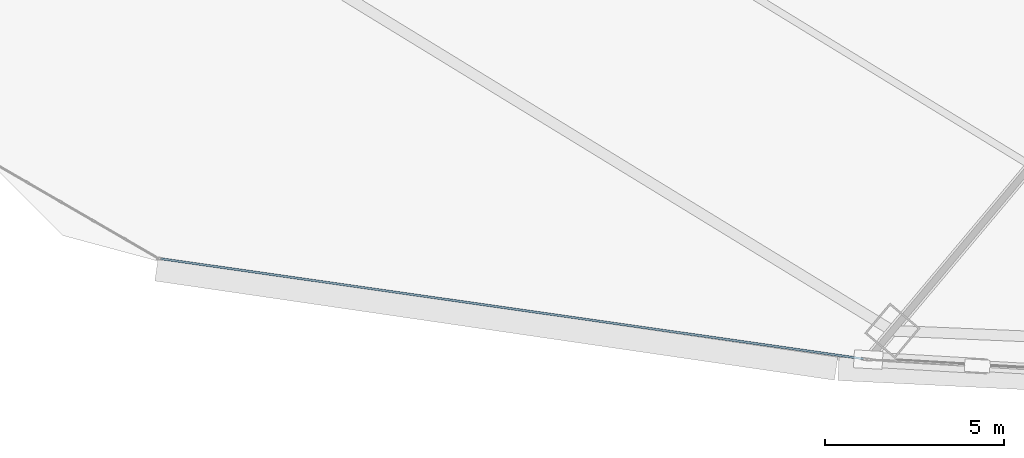
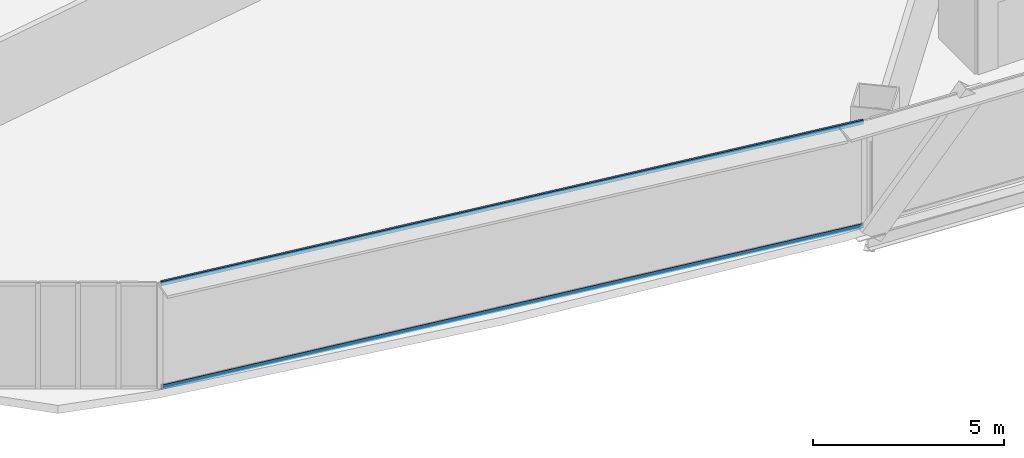
# One storey, part 3 of 41: 2 members, 1 element without a shape of its own.
"""IFC4 building model written with IfcOpenShell, lengths in metres."""

import ifcopenshell
import ifcopenshell.guid

model = None  # the IFC model being written
_history = None  # IfcOwnerHistory: only IFC2X3 demands one
_inside = {}  # id of a spatial element -> (the spatial element, [elements in it])
_under = {}  # id of a project, library or spatial element -> (it, [spatial elements below it])
_declared = {}  # id of a project -> (the project, [libraries it declares])
_typed = {}  # id of a type object -> (the type object, [elements of that type])
_made_of = {}  # id of a material, layer set ... -> (it, [elements and type objects made of it])


def new_model(schema):
    """Start an empty IFC model of exactly this schema.

    Asked for "IFC4X3", IfcOpenShell would pick the latest addendum, in which some entities
    have other attributes; the version numbers below select the first issue.
    IFC2X3 requires an IfcOwnerHistory on every rooted entity: one is made here for all.
    """
    global model, _history
    if schema == "IFC4X3":
        model = ifcopenshell.file(schema_version=(4, 3, 0, 0))
    else:
        model = ifcopenshell.file(schema=schema)
    _inside.clear()
    _under.clear()
    _declared.clear()
    _typed.clear()
    _made_of.clear()
    _history = None
    if model.schema == "IFC2X3":
        org = make("IfcOrganization", Name="unknown")
        user = make(
            "IfcPersonAndOrganization",
            ThePerson=make("IfcPerson", FamilyName="unknown"),
            TheOrganization=org,
        )
        app = make(
            "IfcApplication",
            ApplicationDeveloper=org,
            Version="unknown",
            ApplicationFullName="unknown",
            ApplicationIdentifier="unknown",
        )
        _history = make(
            "IfcOwnerHistory",
            OwningUser=user,
            OwningApplication=app,
            ChangeAction="ADDED",
            CreationDate=0,
        )
    return model


def make(cls, **values):
    """One entity of the class cls with the attributes given. An attribute that is None is left unset."""
    return model.create_entity(
        cls, **{name: value for name, value in values.items() if value is not None}
    )


def rooted(cls, **values):
    """An entity with a GlobalId (a new one), such as an element, a storey or a relation."""
    return make(cls, GlobalId=ifcopenshell.guid.new(), OwnerHistory=_history, **values)


def si_unit(unit_type, name, prefix=None):
    """IfcSIUnit, for example si_unit("LENGTHUNIT", "METRE", prefix="MILLI")."""
    return make("IfcSIUnit", UnitType=unit_type, Prefix=prefix, Name=name)


def assignment(units):
    """IfcUnitAssignment: the units of a project."""
    return None if units is None else make("IfcUnitAssignment", Units=units)


def point(xyz):
    """IfcCartesianPoint."""
    return None if xyz is None else make("IfcCartesianPoint", Coordinates=xyz)


def direction(xyz):
    """IfcDirection."""
    return None if xyz is None else make("IfcDirection", DirectionRatios=xyz)


def frame(location, z_axis=None, x_axis=None):
    """IfcAxis2Placement3D, a coordinate frame: its origin and axes. An axis left out is left unset."""
    return make(
        "IfcAxis2Placement3D",
        Location=point(location),
        Axis=direction(z_axis),
        RefDirection=direction(x_axis),
    )


def frame_2d(location, x_axis=None):
    """IfcAxis2Placement2D, a coordinate frame in the plane: its origin and x axis."""
    return make(
        "IfcAxis2Placement2D", Location=point(location), RefDirection=direction(x_axis)
    )


def origin():
    """The frame at (0, 0, 0) with its axes left unset."""
    return frame((0.0, 0.0, 0.0))


def origin_2d():
    """The frame at (0, 0) in the plane with its x axis left unset."""
    return frame_2d((0.0, 0.0))


def place(relative_to, where):
    """IfcLocalPlacement: puts the frame where relative to a parent placement (None: the world)."""
    return make(
        "IfcLocalPlacement", PlacementRelTo=relative_to, RelativePlacement=where
    )


def context(
    kind, dimensions, precision=None, world=None, true_north=None, identifier=None
):
    """IfcGeometricRepresentationContext, for example the 3D "Model" context."""
    return make(
        "IfcGeometricRepresentationContext",
        ContextIdentifier=identifier,
        ContextType=kind,
        CoordinateSpaceDimension=dimensions,
        Precision=precision,
        WorldCoordinateSystem=world,
        TrueNorth=true_north,
    )


def subcontext(parent, identifier, kind, view, scale=None):
    """IfcGeometricRepresentationSubContext, for example "Body" below "Model"."""
    return make(
        "IfcGeometricRepresentationSubContext",
        ContextIdentifier=identifier,
        ContextType=kind,
        ParentContext=parent,
        TargetScale=scale,
        TargetView=view,
    )


def project(units=None, contexts=None):
    """IfcProject with its units and contexts."""
    return rooted(
        "IfcProject",
        Name="project",
        RepresentationContexts=contexts,
        UnitsInContext=assignment(units),
    )


def spatial(cls, under=None, at=None, **own):
    """A site, building, storey or space (cls), placed at a placement, below another one or the project."""
    s = rooted(cls, ObjectPlacement=at, **own)
    if under is not None:
        _under.setdefault(under.id(), (under, []))[1].append(s)
    return s


def profile(cls, at=None, kind="AREA", **sizes):
    """A parametric profile (cls). Its sizes go by their IFC names, for example OverallWidth=200.0."""
    return make(cls, ProfileType=kind, Position=at, **sizes)


def hollow_rectangle(**sizes):
    """IfcRectangleHollowProfileDef."""
    return profile("IfcRectangleHollowProfileDef", **sizes)


def extrude(swept, where, along, depth):
    """IfcExtrudedAreaSolid: the profile swept, set in the frame where, extruded along a direction by depth."""
    return make(
        "IfcExtrudedAreaSolid",
        SweptArea=swept,
        Position=where,
        ExtrudedDirection=direction(along),
        Depth=depth,
    )


def shape(context_of_items, identifier, shape_type, items):
    """IfcShapeRepresentation: the items that make up one representation, for example the "Body"."""
    return make(
        "IfcShapeRepresentation",
        ContextOfItems=context_of_items,
        RepresentationIdentifier=identifier,
        RepresentationType=shape_type,
        Items=items,
    )


def source(mapping_origin, context_of_items, identifier, shape_type, items):
    """IfcRepresentationMap: a shape defined once, which mapped items show again and again."""
    return make(
        "IfcRepresentationMap",
        MappingOrigin=mapping_origin,
        MappedRepresentation=shape(context_of_items, identifier, shape_type, items),
    )


def transform(
    local_origin,
    x_axis=None,
    y_axis=None,
    z_axis=None,
    scale=None,
    scale2=None,
    scale3=None,
    uniform=True,
):
    """IfcCartesianTransformationOperator3D, or its non-uniform kind. x_axis, y_axis, z_axis: its Axis1, 2, 3."""
    if uniform:
        return make(
            "IfcCartesianTransformationOperator3D",
            Axis1=direction(x_axis),
            Axis2=direction(y_axis),
            LocalOrigin=point(local_origin),
            Scale=scale,
            Axis3=direction(z_axis),
        )
    return make(
        "IfcCartesianTransformationOperator3DnonUniform",
        Axis1=direction(x_axis),
        Axis2=direction(y_axis),
        LocalOrigin=point(local_origin),
        Scale=scale,
        Axis3=direction(z_axis),
        Scale2=scale2,
        Scale3=scale3,
    )


def mapped(mapping_source, mapping_target):
    """IfcMappedItem: shows the shape of a source again, moved by a transform."""
    return make(
        "IfcMappedItem", MappingSource=mapping_source, MappingTarget=mapping_target
    )


def material(Name=None, Category=None):
    """IfcMaterial."""
    return make("IfcMaterial", Name=Name, Category=Category)


def layer(
    of_material, thickness, ventilated=None, Name=None, Category=None, Priority=None
):
    """IfcMaterialLayer: one layer of a wall or slab, of a material (None: an air gap)."""
    return make(
        "IfcMaterialLayer",
        Material=of_material,
        LayerThickness=thickness,
        IsVentilated=ventilated,
        Name=Name,
        Category=Category,
        Priority=Priority,
    )


def layer_set(layers, Name=None):
    """IfcMaterialLayerSet."""
    return make("IfcMaterialLayerSet", MaterialLayers=layers, LayerSetName=Name)


def material_profile(
    of_material, cross_section, Name=None, Category=None, Priority=None
):
    """IfcMaterialProfile: a cross section and its material."""
    return make(
        "IfcMaterialProfile",
        Name=Name,
        Material=of_material,
        Profile=cross_section,
        Priority=Priority,
        Category=Category,
    )


def profile_set(profiles, Name=None, composite=None):
    """IfcMaterialProfileSet."""
    return make(
        "IfcMaterialProfileSet",
        Name=Name,
        MaterialProfiles=profiles,
        CompositeProfile=composite,
    )


def made_of(thing, what):
    """Note that an element or type object is made of a material, layer set ...; save() writes the relation."""
    if what is not None:
        _made_of.setdefault(what.id(), (what, []))[1].append(thing)
    return thing


def type_object(cls, material=None, **own):
    """A type object (cls), such as IfcWallType, which elements share."""
    return made_of(rooted(cls, **own), material)


def element(
    cls,
    number,
    at=None,
    inside=None,
    cuts=None,
    type_object=None,
    material=None,
    context=None,
    identifier="Body",
    shape_type=None,
    held_by="IfcProductDefinitionShape",
    body=None,
    shapes=None,
    **own,
):
    """One element of the class cls, such as IfcWall. Its Tag is "e" and its number.

    at: its placement. inside: the storey or other place that contains it. cuts: it is an
    opening in that element (IfcRelVoidsElement). A single representation is given by context,
    identifier, shape_type and body (its items); several are given by shapes. held_by: the class
    of the entity that holds the representations. save() writes the other relations.
    """
    e = rooted(cls, Tag="e%d" % number, ObjectPlacement=at, **own)
    if body is not None:
        shapes = [shape(context, identifier, shape_type, body)]
    if shapes is not None:
        e.Representation = make(held_by, Representations=shapes)
    if inside is not None:
        _inside.setdefault(inside.id(), (inside, []))[1].append(e)
    if cuts is not None:
        rooted(
            "IfcRelVoidsElement", RelatingBuildingElement=cuts, RelatedOpeningElement=e
        )
    if type_object is not None:
        _typed.setdefault(type_object.id(), (type_object, []))[1].append(e)
    return made_of(e, material)


def aggregate(whole, parts):
    """IfcRelAggregates: a whole, such as a stair, and the parts it consists of."""
    return rooted("IfcRelAggregates", RelatingObject=whole, RelatedObjects=parts)


def save(model, path):
    """Write the relations noted so far, then the file.

    IfcRelAggregates (storeys below a building ...), IfcRelContainedInSpatialStructure (elements
    in a storey), IfcRelDefinesByType, IfcRelAssociatesMaterial and IfcRelDeclares: one each for
    every whole, place, type object, material and project.
    """
    for whole, parts in _under.values():
        aggregate(whole, parts)
    for where, things in _inside.values():
        rooted(
            "IfcRelContainedInSpatialStructure",
            RelatedElements=things,
            RelatingStructure=where,
        )
    for kind, things in _typed.values():
        rooted("IfcRelDefinesByType", RelatedObjects=things, RelatingType=kind)
    for what, things in _made_of.values():
        rooted("IfcRelAssociatesMaterial", RelatedObjects=things, RelatingMaterial=what)
    for by, libraries in _declared.values():
        rooted("IfcRelDeclares", RelatingContext=by, RelatedDefinitions=libraries)
    model.write(path)


model = new_model("IFC4")

# Units and contexts
model_context = context("Model", 3, precision=1e-05, world=origin(), true_north=direction((0.0, 1.0)))
body_context = subcontext(model_context, "Body", "Model", "MODEL_VIEW")
ifc_project = project(units=[si_unit("LENGTHUNIT", "METRE"), si_unit("AREAUNIT", "SQUARE_METRE"), si_unit("VOLUMEUNIT", "CUBIC_METRE"), si_unit("PLANEANGLEUNIT", "RADIAN"), si_unit("MASSUNIT", "GRAM", prefix="KILO"), si_unit("THERMODYNAMICTEMPERATUREUNIT", "KELVIN"), si_unit("POWERUNIT", "WATT")], contexts=[model_context])

# Site, building, storey
site_placement = place(None, origin())
site = spatial("IfcSite", under=ifc_project, at=site_placement, CompositionType="ELEMENT")
building_placement = place(site_placement, origin())
building = spatial("IfcBuilding", under=site, at=building_placement, Name="Yunzhuo Pagoda Commons", CompositionType="ELEMENT")
storey_placement = place(building_placement, frame((0.0, 0.0, 63.070068359375)))
storey = spatial("IfcBuildingStorey", under=building, at=storey_placement, Name="L16", CompositionType="ELEMENT", Elevation=63.070068359375)

# Curtain wall, members
ifc_material = material(Name="Anodized aluminium 6063-T6", Category="aluminium")
ifc_layer = layer(ifc_material, 0.1650390625)
ifc_layer_set = layer_set([ifc_layer], Name="Anodized aluminium 6063-T6")
curtain_wall_type = type_object("IfcCurtainWallType", Name="CW-LOW Low-Zone Ribbon Curtain Wall", PredefinedType="NOTDEFINED", material=ifc_layer_set)
curtain_wall_placement = place(storey_placement, origin())
curtain_wall = element("IfcCurtainWall", 1, at=curtain_wall_placement, inside=storey, type_object=curtain_wall_type, Name="L16 curtain wall CW-L16-F1B1", PredefinedType="NOTDEFINED")
ifc_material_profile = material_profile(ifc_material, hollow_rectangle(XDim=0.06005859375, YDim=0.139892578125, WallThickness=0.00341796875, at=origin_2d()), Name="Anodized aluminium 6063-T6")
ifc_profile_set = profile_set([ifc_material_profile], Name="Anodized aluminium 6063-T6")
member_type = type_object("IfcMemberType", Name="CW-LOW-T Transom RHS 140x60x3.5", PredefinedType="USERDEFINED", material=ifc_profile_set)
shared_shape = source(origin(), body_context, "Body", "SweptSolid", [
    extrude(hollow_rectangle(XDim=0.06005859375, YDim=0.139892578125, WallThickness=0.00341796875, at=origin_2d()), origin(), (0.0, 0.0, 1.0), 19.814697265625),
])
member_1_placement = place(storey_placement, frame((10.070068359375, 14.8564453125, 0.030029296875), z_axis=(0.989991588028, -0.141126381775, 0.0), x_axis=(0.141126381775, 0.989991588028, 0.0)))
member_1 = element("IfcMember", 2, at=member_1_placement, type_object=member_type, Name="CW transom 1.1", ObjectType="TRANSOM", PredefinedType="USERDEFINED", context=body_context, shape_type="MappedRepresentation", body=[
    mapped(shared_shape, transform((0.0, 0.0, 0.0), scale=1.0)),
])
member_2_placement = place(storey_placement, frame((10.070068359375, 14.8564453125, 3.33984375), z_axis=(0.989991588028, -0.141126381775, 0.0), x_axis=(0.141126381775, 0.989991588028, 0.0)))
member_2 = element("IfcMember", 3, at=member_2_placement, type_object=member_type, Name="CW transom 1.2", ObjectType="TRANSOM", PredefinedType="USERDEFINED", context=body_context, shape_type="MappedRepresentation", body=[
    mapped(shared_shape, transform((0.0, 0.0, 0.0), scale=1.0)),
])
aggregate(curtain_wall, [member_1, member_2])

save(model, "model.ifc")
